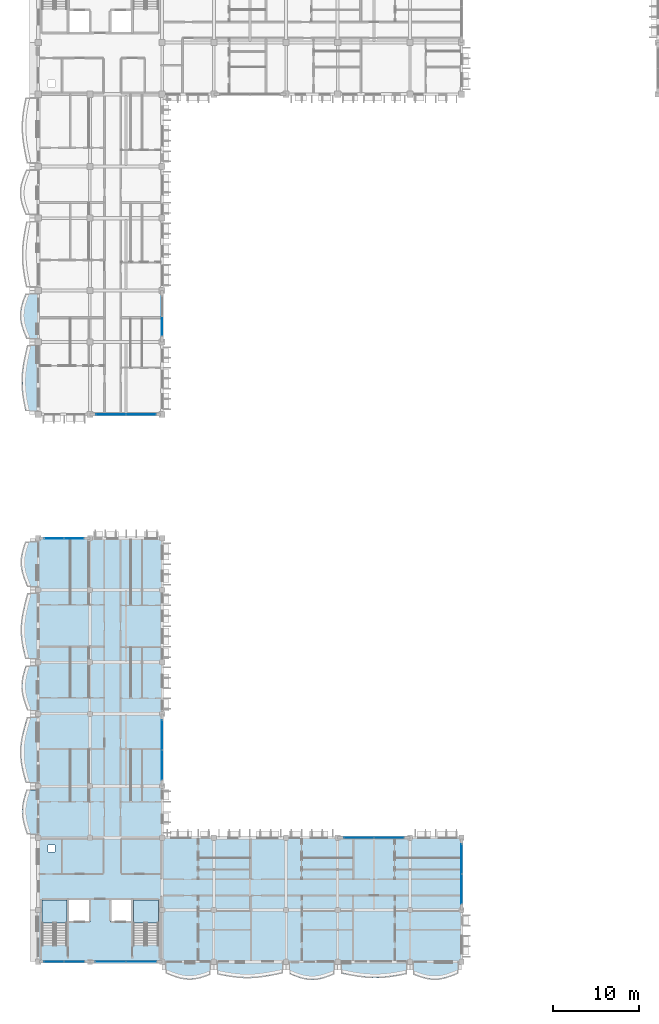
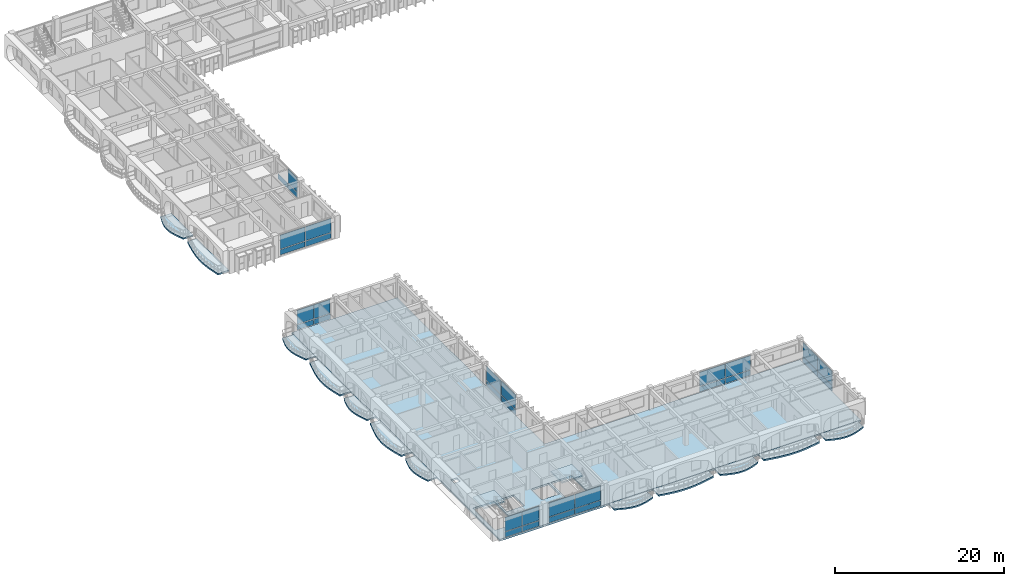
# One storey, part 19 of 76: 31 plates, 15 slabs, 10 elements without a shape of their own.
"""IFC4 building model written with IfcOpenShell, lengths in metres."""

from ifc_helpers import new_model, si_unit, direction, frame, origin, origin_2d, place, context, subcontext, project, spatial, polyline, rectangle, outline, extrude, material, layer, layer_set, type_object, element, aggregate, save


model = new_model("IFC4")

# Units and contexts
model_context = context("Model", 3, precision=1e-05, world=origin(), true_north=direction((0.0, 1.0)))
body_context = subcontext(model_context, "Body", "Model", "MODEL_VIEW")
ifc_project = project(units=[si_unit("LENGTHUNIT", "METRE"), si_unit("AREAUNIT", "SQUARE_METRE"), si_unit("VOLUMEUNIT", "CUBIC_METRE"), si_unit("PLANEANGLEUNIT", "RADIAN"), si_unit("MASSUNIT", "GRAM", prefix="KILO"), si_unit("THERMODYNAMICTEMPERATUREUNIT", "KELVIN")], contexts=[model_context])

# Site, building, storey
site_placement = place(None, origin())
site = spatial("IfcSite", under=ifc_project, at=site_placement, CompositionType="ELEMENT")
building_placement = place(site_placement, origin())
building = spatial("IfcBuilding", under=site, at=building_placement, Name="Thalorik Housing Commons", CompositionType="ELEMENT")
storey_placement = place(building_placement, frame((0.0, 0.0, 18.0)))
storey = spatial("IfcBuildingStorey", under=building, at=storey_placement, Name="L05", CompositionType="ELEMENT", Elevation=18.0)

# Curtain wall, plates
ifc_material_1 = material(Name="Anodised aluminium and solar-control low-E glass", Category="aluminium")
curtain_wall_type_1 = type_object("IfcCurtainWallType", Name="ARC-CW-LOUNGE", PredefinedType="USERDEFINED", material=ifc_material_1)
curtain_wall_1_placement = place(storey_placement, origin())
curtain_wall_1 = element("IfcCurtainWall", 1, at=curtain_wall_1_placement, inside=storey, type_object=curtain_wall_type_1, Name="L05 Curtain Wall CW-RES-L05-A-025", ObjectType="CURTAIN WALL", PredefinedType="USERDEFINED")
ifc_material_2 = material(Name="Cobalt blue enamelled aluminium spandrel panel", Category="aluminium")
ifc_layer_1 = layer(ifc_material_2, 0.0458984375, Name="Cobalt blue enamelled aluminium spandrel panel", Category="aluminium")
ifc_layer_set_1 = layer_set([ifc_layer_1], Name="Cobalt blue enamelled aluminium spandrel panel")
plate_type_1 = type_object("IfcPlateType", Name="ARC-CP-BLU-46", PredefinedType="CURTAIN_PANEL", material=ifc_layer_set_1)
plate_1_placement = place(storey_placement, frame((16.85009765625, 72.0, 0.080078125), z_axis=(0.0, 0.0, 1.0), x_axis=(1.0, 0.0, 0.0)))
plate_1 = element("IfcPlate", 2, at=plate_1_placement, type_object=plate_type_1, Name="CW-RES-L05-A-025 Spandrel Panel 1", PredefinedType="CURTAIN_PANEL", context=body_context, shape_type="SweptSolid", body=[
    extrude(rectangle(XDim=3.43994140625, YDim=0.0458984375, at=origin_2d()), origin(), (0.0, 0.0, 1.0), 0.760009765625),
])
plate_2_placement = place(storey_placement, frame((20.35009765625, 72.0, 0.080078125), z_axis=(0.0, 0.0, 1.0), x_axis=(1.0, 0.0, 0.0)))
plate_2 = element("IfcPlate", 3, at=plate_2_placement, type_object=plate_type_1, Name="CW-RES-L05-A-025 Spandrel Panel 2", PredefinedType="CURTAIN_PANEL", context=body_context, shape_type="SweptSolid", body=[
    extrude(rectangle(XDim=3.43994140625, YDim=0.0458984375, at=origin_2d()), origin(), (0.0, 0.0, 1.0), 0.760009765625),
])

curtain_wall_2_placement = place(storey_placement, origin())
curtain_wall_2 = element("IfcCurtainWall", 4, at=curtain_wall_2_placement, inside=storey, type_object=curtain_wall_type_1, Name="L05 Curtain Wall CW-RES-L05-C-147", ObjectType="CURTAIN WALL", PredefinedType="USERDEFINED")
plate_3_placement = place(storey_placement, frame((12.550048828125, 57.60009765625, 0.080078125), z_axis=(0.0, 0.0, 1.0), x_axis=(-1.0, 0.0, 0.0)))
plate_3 = element("IfcPlate", 5, at=plate_3_placement, type_object=plate_type_1, Name="CW-RES-L05-C-147 Spandrel Panel 1", PredefinedType="CURTAIN_PANEL", context=body_context, shape_type="SweptSolid", body=[
    extrude(rectangle(XDim=2.239990234375, YDim=0.0458984375, at=origin_2d()), origin(), (0.0, 0.0, 1.0), 0.760009765625),
])
plate_4_placement = place(storey_placement, frame((10.25, 57.60009765625, 0.080078125), z_axis=(0.0, 0.0, 1.0), x_axis=(-1.0, 0.0, 0.0)))
plate_4 = element("IfcPlate", 6, at=plate_4_placement, type_object=plate_type_1, Name="CW-RES-L05-C-147 Spandrel Panel 2", PredefinedType="CURTAIN_PANEL", context=body_context, shape_type="SweptSolid", body=[
    extrude(rectangle(XDim=2.239990234375, YDim=0.0458984375, at=origin_2d()), origin(), (0.0, 0.0, 1.0), 0.760009765625),
])

curtain_wall_type_2 = type_object("IfcCurtainWallType", Name="ARC-CW-CORE", PredefinedType="USERDEFINED", material=ifc_material_1)
curtain_wall_3_placement = place(storey_placement, origin())
curtain_wall_3 = element("IfcCurtainWall", 7, at=curtain_wall_3_placement, inside=storey, type_object=curtain_wall_type_2, Name="L05 Curtain Wall CW-CORE-L05-C-150", ObjectType="CURTAIN WALL", PredefinedType="USERDEFINED")
plate_5_placement = place(storey_placement, frame((16.824951171875, 8.39990234375, 0.080078125), z_axis=(0.0, 0.0, 1.0), x_axis=(1.0, 0.0, 0.0)))
plate_5 = element("IfcPlate", 8, at=plate_5_placement, type_object=plate_type_1, Name="CW-CORE-L05-C-150 Spandrel Panel 1", PredefinedType="CURTAIN_PANEL", context=body_context, shape_type="SweptSolid", body=[
    extrude(rectangle(XDim=3.489990234375, YDim=0.0458984375, at=origin_2d()), origin(), (0.0, 0.0, 1.0), 0.760009765625),
])
plate_6_placement = place(storey_placement, frame((20.375, 8.39990234375, 0.080078125), z_axis=(0.0, 0.0, 1.0), x_axis=(1.0, 0.0, 0.0)))
plate_6 = element("IfcPlate", 9, at=plate_6_placement, type_object=plate_type_1, Name="CW-CORE-L05-C-150 Spandrel Panel 2", PredefinedType="CURTAIN_PANEL", context=body_context, shape_type="SweptSolid", body=[
    extrude(rectangle(XDim=3.489990234375, YDim=0.0458984375, at=origin_2d()), origin(), (0.0, 0.0, 1.0), 0.760009765625),
])

curtain_wall_4_placement = place(storey_placement, origin())
curtain_wall_4 = element("IfcCurtainWall", 10, at=curtain_wall_4_placement, inside=storey, type_object=curtain_wall_type_1, Name="L05 Curtain Wall CW-RES-L05-C-152", ObjectType="CURTAIN WALL", PredefinedType="USERDEFINED")
plate_7_placement = place(storey_placement, frame((49.14990234375, 22.800048828125, 0.080078125), z_axis=(0.0, 0.0, 1.0), x_axis=(-1.0, 0.0, 0.0)))
plate_7 = element("IfcPlate", 11, at=plate_7_placement, type_object=plate_type_1, Name="CW-RES-L05-C-152 Spandrel Panel 1", PredefinedType="CURTAIN_PANEL", context=body_context, shape_type="SweptSolid", body=[
    extrude(rectangle(XDim=3.43994140625, YDim=0.0458984375, at=origin_2d()), origin(), (0.0, 0.0, 1.0), 0.760009765625),
])
plate_8_placement = place(storey_placement, frame((45.64990234375, 22.800048828125, 0.080078125), z_axis=(0.0, 0.0, 1.0), x_axis=(-1.0, 0.0, 0.0)))
plate_8 = element("IfcPlate", 12, at=plate_8_placement, type_object=plate_type_1, Name="CW-RES-L05-C-152 Spandrel Panel 2", PredefinedType="CURTAIN_PANEL", context=body_context, shape_type="SweptSolid", body=[
    extrude(rectangle(XDim=3.43994140625, YDim=0.0458984375, at=origin_2d()), origin(), (0.0, 0.0, 1.0), 0.760009765625),
])

# Plate
ifc_material_3 = material(Name="Double solar-control low-E glass", Category="glass")
ifc_layer_2 = layer(ifc_material_3, 0.028076171875, Name="Double solar-control low-E glass", Category="glass")
ifc_layer_set_2 = layer_set([ifc_layer_2], Name="Double solar-control low-E glass")
plate_type_2 = type_object("IfcPlateType", Name="ARC-CP-GLZ-28", PredefinedType="CURTAIN_PANEL", material=ifc_layer_set_2)
plate_9_placement = place(storey_placement, frame((16.85009765625, 72.0, 0.919921875), z_axis=(0.0, 0.0, 1.0), x_axis=(1.0, 0.0, 0.0)))
plate_9 = element("IfcPlate", 13, at=plate_9_placement, type_object=plate_type_2, Name="CW-RES-L05-A-025 Vision Panel 1", PredefinedType="CURTAIN_PANEL", context=body_context, shape_type="SweptSolid", body=[
    extrude(rectangle(XDim=3.43994140625, YDim=0.028076171875, at=origin_2d()), origin(), (0.0, 0.0, 1.0), 2.0400390625),
])

plate_10_placement = place(storey_placement, frame((20.35009765625, 72.0, 0.919921875), z_axis=(0.0, 0.0, 1.0), x_axis=(1.0, 0.0, 0.0)))
plate_10 = element("IfcPlate", 14, at=plate_10_placement, type_object=plate_type_2, Name="CW-RES-L05-A-025 Vision Panel 2", PredefinedType="CURTAIN_PANEL", context=body_context, shape_type="SweptSolid", body=[
    extrude(rectangle(XDim=3.43994140625, YDim=0.028076171875, at=origin_2d()), origin(), (0.0, 0.0, 1.0), 2.0400390625),
])

aggregate(curtain_wall_1, [plate_1, plate_9, plate_2, plate_10])

# Curtain wall, plate
curtain_wall_5_placement = place(storey_placement, origin())
curtain_wall_5 = element("IfcCurtainWall", 15, at=curtain_wall_5_placement, inside=storey, type_object=curtain_wall_type_1, Name="L05 Curtain Wall CW-RES-L05-A-026", ObjectType="CURTAIN WALL", PredefinedType="USERDEFINED")
plate_11_placement = place(storey_placement, frame((22.800048828125, 82.25, 0.919921875), z_axis=(0.0, 0.0, 1.0), x_axis=(0.0, 1.0, 0.0)))
plate_11 = element("IfcPlate", 16, at=plate_11_placement, type_object=plate_type_2, Name="CW-RES-L05-A-026 Vision Panel 1", PredefinedType="CURTAIN_PANEL", context=body_context, shape_type="SweptSolid", body=[
    extrude(rectangle(XDim=2.239990234375, YDim=0.028076171875, at=origin_2d()), origin(), (0.0, 0.0, 1.0), 2.0400390625),
])

# Curtain wall, plates
curtain_wall_6_placement = place(storey_placement, origin())
curtain_wall_6 = element("IfcCurtainWall", 17, at=curtain_wall_6_placement, inside=storey, type_object=curtain_wall_type_1, Name="L05 Curtain Wall CW-RES-L05-C-146", ObjectType="CURTAIN WALL", PredefinedType="USERDEFINED")
plate_12_placement = place(storey_placement, frame((22.800048828125, 31.25, 0.919921875), z_axis=(0.0, 0.0, 1.0), x_axis=(0.0, 1.0, 0.0)))
plate_12 = element("IfcPlate", 18, at=plate_12_placement, type_object=plate_type_2, Name="CW-RES-L05-C-146 Vision Panel 1", PredefinedType="CURTAIN_PANEL", context=body_context, shape_type="SweptSolid", body=[
    extrude(rectangle(XDim=3.43994140625, YDim=0.028076171875, at=origin_2d()), origin(), (0.0, 0.0, 1.0), 2.0400390625),
])
plate_13_placement = place(storey_placement, frame((22.800048828125, 34.75, 0.919921875), z_axis=(0.0, 0.0, 1.0), x_axis=(0.0, 1.0, 0.0)))
plate_13 = element("IfcPlate", 19, at=plate_13_placement, type_object=plate_type_2, Name="CW-RES-L05-C-146 Vision Panel 2", PredefinedType="CURTAIN_PANEL", context=body_context, shape_type="SweptSolid", body=[
    extrude(rectangle(XDim=3.43994140625, YDim=0.028076171875, at=origin_2d()), origin(), (0.0, 0.0, 1.0), 2.0400390625),
])

# Plate
plate_14_placement = place(storey_placement, frame((12.550048828125, 57.60009765625, 0.919921875), z_axis=(0.0, 0.0, 1.0), x_axis=(-1.0, 0.0, 0.0)))
plate_14 = element("IfcPlate", 20, at=plate_14_placement, type_object=plate_type_2, Name="CW-RES-L05-C-147 Vision Panel 1", PredefinedType="CURTAIN_PANEL", context=body_context, shape_type="SweptSolid", body=[
    extrude(rectangle(XDim=2.239990234375, YDim=0.028076171875, at=origin_2d()), origin(), (0.0, 0.0, 1.0), 2.0400390625),
])

plate_15_placement = place(storey_placement, frame((10.25, 57.60009765625, 0.919921875), z_axis=(0.0, 0.0, 1.0), x_axis=(-1.0, 0.0, 0.0)))
plate_15 = element("IfcPlate", 21, at=plate_15_placement, type_object=plate_type_2, Name="CW-RES-L05-C-147 Vision Panel 2", PredefinedType="CURTAIN_PANEL", context=body_context, shape_type="SweptSolid", body=[
    extrude(rectangle(XDim=2.239990234375, YDim=0.028076171875, at=origin_2d()), origin(), (0.0, 0.0, 1.0), 2.0400390625),
])

aggregate(curtain_wall_2, [plate_3, plate_14, plate_4, plate_15])

# Curtain wall, plates
curtain_wall_7_placement = place(storey_placement, origin())
curtain_wall_7 = element("IfcCurtainWall", 22, at=curtain_wall_7_placement, inside=storey, type_object=curtain_wall_type_2, Name="L05 Curtain Wall CW-CORE-L05-C-149", ObjectType="CURTAIN WALL", PredefinedType="USERDEFINED")
plate_16_placement = place(storey_placement, frame((10.22509765625, 8.39990234375, 0.919921875), z_axis=(0.0, 0.0, 1.0), x_axis=(1.0, 0.0, 0.0)))
plate_16 = element("IfcPlate", 23, at=plate_16_placement, type_object=plate_type_2, Name="CW-CORE-L05-C-149 Vision Panel 1", PredefinedType="CURTAIN_PANEL", context=body_context, shape_type="SweptSolid", body=[
    extrude(rectangle(XDim=2.2900390625, YDim=0.028076171875, at=origin_2d()), origin(), (0.0, 0.0, 1.0), 2.0400390625),
])
plate_17_placement = place(storey_placement, frame((12.574951171875, 8.39990234375, 0.919921875), z_axis=(0.0, 0.0, 1.0), x_axis=(1.0, 0.0, 0.0)))
plate_17 = element("IfcPlate", 24, at=plate_17_placement, type_object=plate_type_2, Name="CW-CORE-L05-C-149 Vision Panel 2", PredefinedType="CURTAIN_PANEL", context=body_context, shape_type="SweptSolid", body=[
    extrude(rectangle(XDim=2.2900390625, YDim=0.028076171875, at=origin_2d()), origin(), (0.0, 0.0, 1.0), 2.0400390625),
])

# Plate
plate_18_placement = place(storey_placement, frame((16.824951171875, 8.39990234375, 0.919921875), z_axis=(0.0, 0.0, 1.0), x_axis=(1.0, 0.0, 0.0)))
plate_18 = element("IfcPlate", 25, at=plate_18_placement, type_object=plate_type_2, Name="CW-CORE-L05-C-150 Vision Panel 1", PredefinedType="CURTAIN_PANEL", context=body_context, shape_type="SweptSolid", body=[
    extrude(rectangle(XDim=3.489990234375, YDim=0.028076171875, at=origin_2d()), origin(), (0.0, 0.0, 1.0), 2.0400390625),
])

plate_19_placement = place(storey_placement, frame((20.375, 8.39990234375, 0.919921875), z_axis=(0.0, 0.0, 1.0), x_axis=(1.0, 0.0, 0.0)))
plate_19 = element("IfcPlate", 26, at=plate_19_placement, type_object=plate_type_2, Name="CW-CORE-L05-C-150 Vision Panel 2", PredefinedType="CURTAIN_PANEL", context=body_context, shape_type="SweptSolid", body=[
    extrude(rectangle(XDim=3.489990234375, YDim=0.028076171875, at=origin_2d()), origin(), (0.0, 0.0, 1.0), 2.0400390625),
])

aggregate(curtain_wall_3, [plate_5, plate_18, plate_6, plate_19])

# Curtain wall, plates
curtain_wall_8_placement = place(storey_placement, origin())
curtain_wall_8 = element("IfcCurtainWall", 27, at=curtain_wall_8_placement, inside=storey, type_object=curtain_wall_type_1, Name="L05 Curtain Wall CW-RES-L05-C-151", ObjectType="CURTAIN WALL", PredefinedType="USERDEFINED")
plate_20_placement = place(storey_placement, frame((57.60009765625, 16.85009765625, 0.919921875), z_axis=(0.0, 0.0, 1.0), x_axis=(0.0, 1.0, 0.0)))
plate_20 = element("IfcPlate", 28, at=plate_20_placement, type_object=plate_type_2, Name="CW-RES-L05-C-151 Vision Panel 1", PredefinedType="CURTAIN_PANEL", context=body_context, shape_type="SweptSolid", body=[
    extrude(rectangle(XDim=3.43994140625, YDim=0.028076171875, at=origin_2d()), origin(), (0.0, 0.0, 1.0), 2.0400390625),
])
plate_21_placement = place(storey_placement, frame((57.60009765625, 20.35009765625, 0.919921875), z_axis=(0.0, 0.0, 1.0), x_axis=(0.0, 1.0, 0.0)))
plate_21 = element("IfcPlate", 29, at=plate_21_placement, type_object=plate_type_2, Name="CW-RES-L05-C-151 Vision Panel 2", PredefinedType="CURTAIN_PANEL", context=body_context, shape_type="SweptSolid", body=[
    extrude(rectangle(XDim=3.43994140625, YDim=0.028076171875, at=origin_2d()), origin(), (0.0, 0.0, 1.0), 2.0400390625),
])

# Plate
plate_22_placement = place(storey_placement, frame((49.14990234375, 22.800048828125, 0.919921875), z_axis=(0.0, 0.0, 1.0), x_axis=(-1.0, 0.0, 0.0)))
plate_22 = element("IfcPlate", 30, at=plate_22_placement, type_object=plate_type_2, Name="CW-RES-L05-C-152 Vision Panel 1", PredefinedType="CURTAIN_PANEL", context=body_context, shape_type="SweptSolid", body=[
    extrude(rectangle(XDim=3.43994140625, YDim=0.028076171875, at=origin_2d()), origin(), (0.0, 0.0, 1.0), 2.0400390625),
])

plate_23_placement = place(storey_placement, frame((45.64990234375, 22.800048828125, 0.919921875), z_axis=(0.0, 0.0, 1.0), x_axis=(-1.0, 0.0, 0.0)))
plate_23 = element("IfcPlate", 31, at=plate_23_placement, type_object=plate_type_2, Name="CW-RES-L05-C-152 Vision Panel 2", PredefinedType="CURTAIN_PANEL", context=body_context, shape_type="SweptSolid", body=[
    extrude(rectangle(XDim=3.43994140625, YDim=0.028076171875, at=origin_2d()), origin(), (0.0, 0.0, 1.0), 2.0400390625),
])

aggregate(curtain_wall_4, [plate_7, plate_22, plate_8, plate_23])

ifc_material_4 = material(Name="Oxide red enamelled aluminium spandrel panel", Category="aluminium")
ifc_layer_3 = layer(ifc_material_4, 0.0419921875, Name="Oxide red enamelled aluminium spandrel panel", Category="aluminium")
ifc_layer_set_3 = layer_set([ifc_layer_3], Name="Oxide red enamelled aluminium spandrel panel")
plate_type_3 = type_object("IfcPlateType", Name="ARC-CP-RED-42", PredefinedType="CURTAIN_PANEL", material=ifc_layer_set_3)
plate_24_placement = place(storey_placement, frame((22.800048828125, 82.25, 0.080078125), z_axis=(0.0, 0.0, 1.0), x_axis=(0.0, 1.0, 0.0)))
plate_24 = element("IfcPlate", 32, at=plate_24_placement, type_object=plate_type_3, Name="CW-RES-L05-A-026 Spandrel Panel 1", PredefinedType="CURTAIN_PANEL", context=body_context, shape_type="SweptSolid", body=[
    extrude(rectangle(XDim=2.239990234375, YDim=0.0419921875, at=origin_2d()), origin(), (0.0, 0.0, 1.0), 0.760009765625),
])

plate_25_placement = place(storey_placement, frame((22.800048828125, 84.550048828125, 0.080078125), z_axis=(0.0, 0.0, 1.0), x_axis=(0.0, 1.0, 0.0)))
plate_25 = element("IfcPlate", 33, at=plate_25_placement, type_object=plate_type_3, Name="CW-RES-L05-A-026 Spandrel Panel 2", PredefinedType="CURTAIN_PANEL", context=body_context, shape_type="SweptSolid", body=[
    extrude(rectangle(XDim=2.239990234375, YDim=0.0419921875, at=origin_2d()), origin(), (0.0, 0.0, 1.0), 0.760009765625),
])

aggregate(curtain_wall_5, [plate_24, plate_11, plate_25])

plate_26_placement = place(storey_placement, frame((10.22509765625, 8.39990234375, 0.080078125), z_axis=(0.0, 0.0, 1.0), x_axis=(1.0, 0.0, 0.0)))
plate_26 = element("IfcPlate", 34, at=plate_26_placement, type_object=plate_type_3, Name="CW-CORE-L05-C-149 Spandrel Panel 1", PredefinedType="CURTAIN_PANEL", context=body_context, shape_type="SweptSolid", body=[
    extrude(rectangle(XDim=2.2900390625, YDim=0.0419921875, at=origin_2d()), origin(), (0.0, 0.0, 1.0), 0.760009765625),
])

plate_27_placement = place(storey_placement, frame((12.574951171875, 8.39990234375, 0.080078125), z_axis=(0.0, 0.0, 1.0), x_axis=(1.0, 0.0, 0.0)))
plate_27 = element("IfcPlate", 35, at=plate_27_placement, type_object=plate_type_3, Name="CW-CORE-L05-C-149 Spandrel Panel 2", PredefinedType="CURTAIN_PANEL", context=body_context, shape_type="SweptSolid", body=[
    extrude(rectangle(XDim=2.2900390625, YDim=0.0419921875, at=origin_2d()), origin(), (0.0, 0.0, 1.0), 0.760009765625),
])

aggregate(curtain_wall_7, [plate_26, plate_16, plate_27, plate_17])

ifc_material_5 = material(Name="Mineral ochre yellow aluminium spandrel panel", Category="aluminium")
ifc_layer_4 = layer(ifc_material_5, 0.050048828125, Name="Mineral ochre yellow aluminium spandrel panel", Category="aluminium")
ifc_layer_set_4 = layer_set([ifc_layer_4], Name="Mineral ochre yellow aluminium spandrel panel")
plate_type_4 = type_object("IfcPlateType", Name="ARC-CP-YEL-50", PredefinedType="CURTAIN_PANEL", material=ifc_layer_set_4)
plate_28_placement = place(storey_placement, frame((22.800048828125, 31.25, 0.080078125), z_axis=(0.0, 0.0, 1.0), x_axis=(0.0, 1.0, 0.0)))
plate_28 = element("IfcPlate", 36, at=plate_28_placement, type_object=plate_type_4, Name="CW-RES-L05-C-146 Spandrel Panel 1", PredefinedType="CURTAIN_PANEL", context=body_context, shape_type="SweptSolid", body=[
    extrude(rectangle(XDim=3.43994140625, YDim=0.050048828125, at=origin_2d()), origin(), (0.0, 0.0, 1.0), 0.760009765625),
])

plate_29_placement = place(storey_placement, frame((22.800048828125, 34.75, 0.080078125), z_axis=(0.0, 0.0, 1.0), x_axis=(0.0, 1.0, 0.0)))
plate_29 = element("IfcPlate", 37, at=plate_29_placement, type_object=plate_type_4, Name="CW-RES-L05-C-146 Spandrel Panel 2", PredefinedType="CURTAIN_PANEL", context=body_context, shape_type="SweptSolid", body=[
    extrude(rectangle(XDim=3.43994140625, YDim=0.050048828125, at=origin_2d()), origin(), (0.0, 0.0, 1.0), 0.760009765625),
])

aggregate(curtain_wall_6, [plate_28, plate_12, plate_29, plate_13])

plate_30_placement = place(storey_placement, frame((57.60009765625, 16.85009765625, 0.080078125), z_axis=(0.0, 0.0, 1.0), x_axis=(0.0, 1.0, 0.0)))
plate_30 = element("IfcPlate", 38, at=plate_30_placement, type_object=plate_type_4, Name="CW-RES-L05-C-151 Spandrel Panel 1", PredefinedType="CURTAIN_PANEL", context=body_context, shape_type="SweptSolid", body=[
    extrude(rectangle(XDim=3.43994140625, YDim=0.050048828125, at=origin_2d()), origin(), (0.0, 0.0, 1.0), 0.760009765625),
])

plate_31_placement = place(storey_placement, frame((57.60009765625, 20.35009765625, 0.080078125), z_axis=(0.0, 0.0, 1.0), x_axis=(0.0, 1.0, 0.0)))
plate_31 = element("IfcPlate", 39, at=plate_31_placement, type_object=plate_type_4, Name="CW-RES-L05-C-151 Spandrel Panel 2", PredefinedType="CURTAIN_PANEL", context=body_context, shape_type="SweptSolid", body=[
    extrude(rectangle(XDim=3.43994140625, YDim=0.050048828125, at=origin_2d()), origin(), (0.0, 0.0, 1.0), 0.760009765625),
])

aggregate(curtain_wall_8, [plate_30, plate_20, plate_31, plate_21])

# Stair, slab
ifc_material_6 = material(Name="Precast concrete C40/50", Category="concrete")
stair_type = type_object("IfcStairType", Name="ARC-STR-1350-R20", PredefinedType="HALF_TURN_STAIR", material=ifc_material_6)
stair_1_placement = place(storey_placement, origin())
stair_1 = element("IfcStair", 40, at=stair_1_placement, inside=storey, type_object=stair_type, Name="L05 Block C Smoke-Proof Stair 1", PredefinedType="HALF_TURN_STAIR")
ifc_layer_5 = layer(ifc_material_6, 0.199951171875, Name="Precast concrete C40/50", Category="concrete")
ifc_layer_set_5 = layer_set([ifc_layer_5], Name="Precast concrete C40/50")
slab_type_1 = type_object("IfcSlabType", Name="ARC-SLB-STLND-200", PredefinedType="LANDING", material=ifc_layer_set_5)
slab_1_placement = place(storey_placement, frame((0.0, 0.0, 1.449951171875)))
slab_1 = element("IfcSlab", 41, at=slab_1_placement, type_object=slab_type_1, Name="ST-C1 landing 1", PredefinedType="LANDING", context=body_context, shape_type="SweptSolid", body=[
    extrude(outline(polyline([(11.75, 12.909912109375), (11.75, 15.550048828125), (8.85009765625, 15.550048828125), (8.85009765625, 12.909912109375), (11.75, 12.909912109375)])), origin(), (0.0, 0.0, 1.0), 0.199951171875),
])
aggregate(stair_1, [slab_1])

stair_2_placement = place(storey_placement, origin())
stair_2 = element("IfcStair", 42, at=stair_2_placement, inside=storey, type_object=stair_type, Name="L05 Block C Smoke-Proof Stair 2", PredefinedType="HALF_TURN_STAIR")
slab_2_placement = place(storey_placement, frame((0.0, 0.0, 1.449951171875)))
slab_2 = element("IfcSlab", 43, at=slab_2_placement, type_object=slab_type_1, Name="ST-C2 landing 1", PredefinedType="LANDING", context=body_context, shape_type="SweptSolid", body=[
    extrude(outline(polyline([(22.35009765625, 12.909912109375), (22.35009765625, 15.550048828125), (19.449951171875, 15.550048828125), (19.449951171875, 12.909912109375), (22.35009765625, 12.909912109375)])), origin(), (0.0, 0.0, 1.0), 0.199951171875),
])
aggregate(stair_2, [slab_2])

# Slabs
ifc_layer_6 = layer(ifc_material_6, 0.199951171875, Name="Precast concrete C40/50", Category="concrete")
ifc_layer_set_6 = layer_set([ifc_layer_6], Name="Precast concrete C40/50")
slab_type_2 = type_object("IfcSlabType", Name="STR-SLB-BALC-200", PredefinedType="FLOOR", material=ifc_layer_set_6)
slab_3_placement = place(storey_placement, frame((0.0, 0.0, -0.199951171875)))
element("IfcSlab", 44, at=slab_3_placement, inside=storey, type_object=slab_type_2, Name="L05 Block A Cushion Balcony 37", PredefinedType="FLOOR", context=body_context, shape_type="SweptSolid", body=[
    extrude(outline(polyline([(8.39990234375, 80.820068359375), (8.39990234375, 85.97998046875), (6.932861328125, 85.97998046875), (6.763671875, 85.550048828125), (6.60888671875, 85.1201171875), (6.479248046875, 84.68994140625), (6.38330078125, 84.260009765625), (6.327392578125, 83.830078125), (6.31591796875, 83.39990234375), (6.349609375, 82.969970703125), (6.427001953125, 82.5400390625), (6.542724609375, 82.110107421875), (6.690185546875, 81.679931640625), (6.859619140625, 81.25), (7.040283203125, 80.820068359375), (8.39990234375, 80.820068359375)])), origin(), (0.0, 0.0, 1.0), 0.199951171875),
])
slab_4_placement = place(storey_placement, frame((0.0, 0.0, -0.199951171875)))
element("IfcSlab", 45, at=slab_4_placement, inside=storey, type_object=slab_type_2, Name="L05 Block C Cushion Balcony 281", PredefinedType="FLOOR", context=body_context, shape_type="SweptSolid", body=[
    extrude(outline(polyline([(8.39990234375, 23.219970703125), (8.39990234375, 28.3798828125), (7.052734375, 28.3798828125), (6.915771484375, 27.949951171875), (6.7880859375, 27.52001953125), (6.678955078125, 27.090087890625), (6.5966796875, 26.659912109375), (6.547119140625, 26.22998046875), (6.533935546875, 25.800048828125), (6.55859375, 25.3701171875), (6.619140625, 24.93994140625), (6.7119140625, 24.510009765625), (6.830078125, 24.080078125), (6.96533203125, 23.64990234375), (7.1083984375, 23.219970703125), (8.39990234375, 23.219970703125)])), origin(), (0.0, 0.0, 1.0), 0.199951171875),
])
slab_5_placement = place(storey_placement, frame((0.0, 0.0, -0.199951171875)))
element("IfcSlab", 46, at=slab_5_placement, inside=storey, type_object=slab_type_2, Name="L05 Block C Cushion Balcony 283", PredefinedType="FLOOR", context=body_context, shape_type="SweptSolid", body=[
    extrude(outline(polyline([(8.39990234375, 37.6201171875), (8.39990234375, 42.780029296875), (6.963623046875, 42.780029296875), (6.82470703125, 42.35009765625), (6.6982421875, 41.919921875), (6.593505859375, 41.489990234375), (6.5185546875, 41.06005859375), (6.47900390625, 40.6298828125), (6.478515625, 40.199951171875), (6.517578125, 39.77001953125), (6.593994140625, 39.340087890625), (6.70361328125, 38.909912109375), (6.8388671875, 38.47998046875), (6.990966796875, 38.050048828125), (7.149658203125, 37.6201171875), (8.39990234375, 37.6201171875)])), origin(), (0.0, 0.0, 1.0), 0.199951171875),
])
slab_6_placement = place(storey_placement, frame((0.0, 0.0, -0.199951171875)))
element("IfcSlab", 47, at=slab_6_placement, inside=storey, type_object=slab_type_2, Name="L05 Block C Cushion Balcony 285", PredefinedType="FLOOR", context=body_context, shape_type="SweptSolid", body=[
    extrude(outline(polyline([(8.39990234375, 52.02001953125), (8.39990234375, 57.179931640625), (6.9140625, 57.179931640625), (6.76171875, 56.75), (6.6240234375, 56.320068359375), (6.510986328125, 55.889892578125), (6.43017578125, 55.4599609375), (6.38818359375, 55.030029296875), (6.38818359375, 54.60009765625), (6.430908203125, 54.169921875), (6.514404296875, 53.739990234375), (6.633544921875, 53.31005859375), (6.781005859375, 52.8798828125), (6.947021484375, 52.449951171875), (7.12158203125, 52.02001953125), (8.39990234375, 52.02001953125)])), origin(), (0.0, 0.0, 1.0), 0.199951171875),
])
slab_7_placement = place(storey_placement, frame((0.0, 0.0, -0.199951171875)))
element("IfcSlab", 48, at=slab_7_placement, inside=storey, type_object=slab_type_2, Name="L05 Block C Cushion Balcony 286", PredefinedType="FLOOR", context=body_context, shape_type="SweptSolid", body=[
    extrude(outline(polyline([(23.219970703125, 7.0849609375), (23.64990234375, 6.906005859375), (24.080078125, 6.736328125), (24.510009765625, 6.58740234375), (24.93994140625, 6.46826171875), (25.3701171875, 6.38623046875), (25.800048828125, 6.3466796875), (26.22998046875, 6.35107421875), (26.659912109375, 6.39892578125), (27.090087890625, 6.486572265625), (27.52001953125, 6.607666015625), (27.949951171875, 6.753662109375), (28.3798828125, 6.91455078125), (28.3798828125, 8.39990234375), (23.219970703125, 8.39990234375), (23.219970703125, 7.0849609375)])), origin(), (0.0, 0.0, 1.0), 0.199951171875),
])
slab_8_placement = place(storey_placement, frame((0.0, 0.0, -0.199951171875)))
element("IfcSlab", 49, at=slab_8_placement, inside=storey, type_object=slab_type_2, Name="L05 Block C Cushion Balcony 288", PredefinedType="FLOOR", context=body_context, shape_type="SweptSolid", body=[
    extrude(outline(polyline([(37.6201171875, 6.994140625), (38.050048828125, 6.8154296875), (38.47998046875, 6.6494140625), (38.909912109375, 6.5068359375), (39.340087890625, 6.39697265625), (39.77001953125, 6.326904296875), (40.199951171875, 6.301025390625), (40.6298828125, 6.321044921875), (41.06005859375, 6.385498046875), (41.489990234375, 6.490234375), (41.919921875, 6.628173828125), (42.35009765625, 6.790283203125), (42.780029296875, 6.96630859375), (42.780029296875, 8.39990234375), (37.6201171875, 8.39990234375), (37.6201171875, 6.994140625)])), origin(), (0.0, 0.0, 1.0), 0.199951171875),
])
slab_9_placement = place(storey_placement, frame((0.0, 0.0, -0.199951171875)))
element("IfcSlab", 50, at=slab_9_placement, inside=storey, type_object=slab_type_2, Name="L05 Block C Cushion Balcony 290", PredefinedType="FLOOR", context=body_context, shape_type="SweptSolid", body=[
    extrude(outline(polyline([(52.02001953125, 6.925048828125), (52.449951171875, 6.75830078125), (52.8798828125, 6.6064453125), (53.31005859375, 6.479736328125), (53.739990234375, 6.38671875), (54.169921875, 6.33349609375), (54.60009765625, 6.32470703125), (55.030029296875, 6.360595703125), (55.4599609375, 6.439697265625), (55.889892578125, 6.55712890625), (56.320068359375, 6.705322265625), (56.75, 6.875244140625), (57.179931640625, 7.0556640625), (57.179931640625, 8.39990234375), (52.02001953125, 8.39990234375), (52.02001953125, 6.925048828125)])), origin(), (0.0, 0.0, 1.0), 0.199951171875),
])
ifc_layer_7 = layer(ifc_material_6, 0.219970703125, Name="Precast concrete C40/50", Category="concrete")
ifc_layer_set_7 = layer_set([ifc_layer_7], Name="Precast concrete C40/50")
slab_type_3 = type_object("IfcSlabType", Name="STR-SLB-BALC-220", PredefinedType="FLOOR", material=ifc_layer_set_7)
slab_10_placement = place(storey_placement, frame((0.0, 0.0, -0.219970703125)))
element("IfcSlab", 51, at=slab_10_placement, inside=storey, type_object=slab_type_3, Name="L05 Block A Cushion Balcony 36", PredefinedType="FLOOR", context=body_context, shape_type="SweptSolid", body=[
    extrude(outline(polyline([(8.39990234375, 72.419921875), (8.39990234375, 79.97998046875), (7.119384765625, 79.97998046875), (6.979248046875, 79.35009765625), (6.842041015625, 78.719970703125), (6.716796875, 78.090087890625), (6.612060546875, 77.4599609375), (6.53515625, 76.830078125), (6.491455078125, 76.199951171875), (6.48388671875, 75.570068359375), (6.513427734375, 74.93994140625), (6.578125, 74.31005859375), (6.673828125, 73.679931640625), (6.794189453125, 73.050048828125), (6.93115234375, 72.419921875), (8.39990234375, 72.419921875)])), origin(), (0.0, 0.0, 1.0), 0.219970703125),
])
slab_11_placement = place(storey_placement, frame((0.0, 0.0, -0.219970703125)))
element("IfcSlab", 52, at=slab_11_placement, inside=storey, type_object=slab_type_3, Name="L05 Block C Cushion Balcony 282", PredefinedType="FLOOR", context=body_context, shape_type="SweptSolid", body=[
    extrude(outline(polyline([(8.39990234375, 29.219970703125), (8.39990234375, 36.780029296875), (7.110595703125, 36.780029296875), (6.92529296875, 36.14990234375), (6.74658203125, 35.52001953125), (6.58740234375, 34.889892578125), (6.458251953125, 34.260009765625), (6.36865234375, 33.6298828125), (6.32470703125, 33.0), (6.329345703125, 32.3701171875), (6.382568359375, 31.739990234375), (6.48095703125, 31.110107421875), (6.61767578125, 30.47998046875), (6.783203125, 29.85009765625), (6.96630859375, 29.219970703125), (8.39990234375, 29.219970703125)])), origin(), (0.0, 0.0, 1.0), 0.219970703125),
])
slab_12_placement = place(storey_placement, frame((0.0, 0.0, -0.219970703125)))
element("IfcSlab", 53, at=slab_12_placement, inside=storey, type_object=slab_type_3, Name="L05 Block C Cushion Balcony 284", PredefinedType="FLOOR", context=body_context, shape_type="SweptSolid", body=[
    extrude(outline(polyline([(8.39990234375, 43.6201171875), (8.39990234375, 51.179931640625), (7.14990234375, 51.179931640625), (6.9853515625, 50.550048828125), (6.822998046875, 49.919921875), (6.67431640625, 49.2900390625), (6.54931640625, 48.659912109375), (6.456787109375, 48.030029296875), (6.403564453125, 47.39990234375), (6.392822265625, 46.77001953125), (6.426025390625, 46.139892578125), (6.501220703125, 45.510009765625), (6.61279296875, 44.8798828125), (6.75390625, 44.25), (6.91455078125, 43.6201171875), (8.39990234375, 43.6201171875)])), origin(), (0.0, 0.0, 1.0), 0.219970703125),
])
slab_13_placement = place(storey_placement, frame((0.0, 0.0, -0.219970703125)))
element("IfcSlab", 54, at=slab_13_placement, inside=storey, type_object=slab_type_3, Name="L05 Block C Cushion Balcony 287", PredefinedType="FLOOR", context=body_context, shape_type="SweptSolid", body=[
    extrude(outline(polyline([(29.219970703125, 6.963623046875), (29.85009765625, 6.83447265625), (30.47998046875, 6.71875), (31.110107421875, 6.62451171875), (31.739990234375, 6.557861328125), (32.3701171875, 6.52294921875), (33.0, 6.522216796875), (33.6298828125, 6.55517578125), (34.260009765625, 6.6201171875), (34.889892578125, 6.7119140625), (35.52001953125, 6.82470703125), (36.14990234375, 6.951171875), (36.780029296875, 7.082275390625), (36.780029296875, 8.39990234375), (29.219970703125, 8.39990234375), (29.219970703125, 6.963623046875)])), origin(), (0.0, 0.0, 1.0), 0.219970703125),
])
slab_14_placement = place(storey_placement, frame((0.0, 0.0, -0.219970703125)))
element("IfcSlab", 55, at=slab_14_placement, inside=storey, type_object=slab_type_3, Name="L05 Block C Cushion Balcony 289", PredefinedType="FLOOR", context=body_context, shape_type="SweptSolid", body=[
    extrude(outline(polyline([(43.6201171875, 7.052734375), (44.25, 6.92529296875), (44.8798828125, 6.8046875), (45.510009765625, 6.698974609375), (46.139892578125, 6.614990234375), (46.77001953125, 6.558837890625), (47.39990234375, 6.533935546875), (48.030029296875, 6.5419921875), (48.659912109375, 6.5830078125), (49.2900390625, 6.65380859375), (49.919921875, 6.749755859375), (50.550048828125, 6.86474609375), (51.179931640625, 6.9912109375), (51.179931640625, 8.39990234375), (43.6201171875, 8.39990234375), (43.6201171875, 7.052734375)])), origin(), (0.0, 0.0, 1.0), 0.219970703125),
])
ifc_material_7 = material(Name="Precast concrete C45/55", Category="concrete")
ifc_layer_8 = layer(ifc_material_7, 0.260009765625, Name="Precast concrete C45/55", Category="concrete")
ifc_layer_set_8 = layer_set([ifc_layer_8], Name="Precast concrete C45/55")
slab_type_4 = type_object("IfcSlabType", Name="STR-SLB-HC-260", PredefinedType="FLOOR", material=ifc_layer_set_8)
slab_15_placement = place(storey_placement, frame((0.0, 0.0, -0.260009765625)))
element("IfcSlab", 56, at=slab_15_placement, inside=storey, type_object=slab_type_4, Name="L05 Residential Block C Floor Slab", PredefinedType="FLOOR", context=body_context, shape_type="SweptSolid", body=[
    extrude(outline(polyline([(8.39990234375, 8.39990234375), (22.800048828125, 8.39990234375), (57.60009765625, 8.39990234375), (57.60009765625, 22.800048828125), (22.800048828125, 22.800048828125), (22.800048828125, 57.60009765625), (8.39990234375, 57.60009765625), (8.39990234375, 8.39990234375)]), holes=[polyline([(11.75, 10.35009765625), (8.85009765625, 10.35009765625), (8.85009765625, 15.550048828125), (11.75, 15.550048828125), (11.75, 10.35009765625)]), polyline([(19.449951171875, 10.35009765625), (19.449951171875, 15.550048828125), (22.35009765625, 15.550048828125), (22.35009765625, 10.35009765625), (19.449951171875, 10.35009765625)]), polyline([(14.39990234375, 15.550048828125), (14.39990234375, 13.0), (12.0, 13.0), (12.0, 15.550048828125), (14.39990234375, 15.550048828125)]), polyline([(19.199951171875, 13.0), (16.800048828125, 13.0), (16.800048828125, 15.550048828125), (19.199951171875, 15.550048828125), (19.199951171875, 13.0)]), polyline([(9.550048828125, 21.14990234375), (9.550048828125, 21.949951171875), (10.35009765625, 21.949951171875), (10.35009765625, 21.14990234375), (9.550048828125, 21.14990234375)])]), origin(), (0.0, 0.0, 1.0), 0.260009765625),
])

save(model, "model.ifc")
